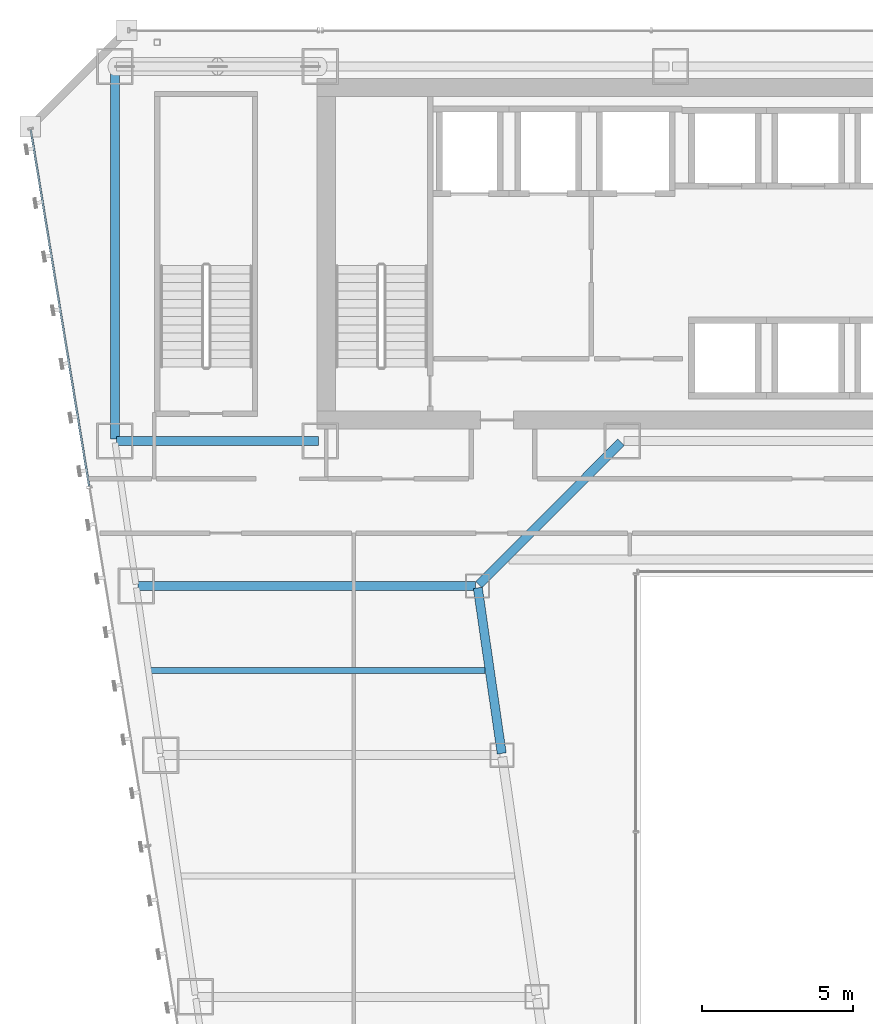
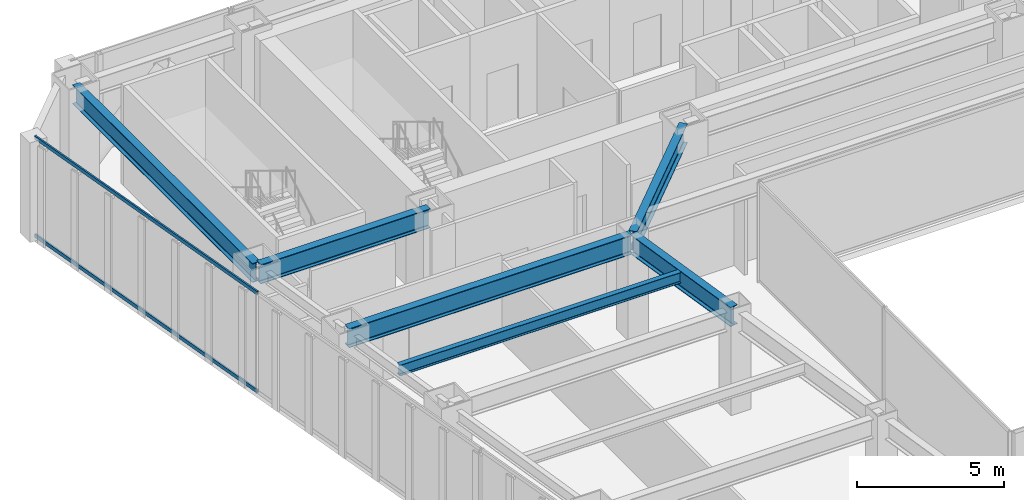
# One storey, part 23 of 47: 6 beams, 2 members, 1 element without a shape of its own.
"""IFC4 building model written with IfcOpenShell, lengths in metres."""

from ifc_helpers import new_model, si_unit, direction, frame, origin, origin_2d, place, context, subcontext, project, spatial, hollow_rectangle, i_section, extrude, material, material_profile, profile_set, type_object, element, aggregate, save


model = new_model("IFC4")

# Units and contexts
model_context = context("Model", 3, precision=1e-05, world=origin(), true_north=direction((0.0, 1.0)))
body_context = subcontext(model_context, "Body", "Model", "MODEL_VIEW")
ifc_project = project(units=[si_unit("LENGTHUNIT", "METRE"), si_unit("AREAUNIT", "SQUARE_METRE"), si_unit("VOLUMEUNIT", "CUBIC_METRE"), si_unit("PLANEANGLEUNIT", "RADIAN"), si_unit("MASSUNIT", "GRAM", prefix="KILO")], contexts=[model_context])

# Site, building, storey
site_placement = place(None, origin())
site = spatial("IfcSite", under=ifc_project, at=site_placement, CompositionType="ELEMENT")
building_placement = place(site_placement, origin())
building = spatial("IfcBuilding", under=site, at=building_placement, Name="Saevonmaru Cultural Tower", CompositionType="ELEMENT")
storey_placement = place(building_placement, frame((0.0, 0.0, 60.39990234375)))
storey = spatial("IfcBuildingStorey", under=building, at=storey_placement, Name="L12", CompositionType="ELEMENT", Elevation=60.39990234375)

# Beams
ifc_material_1 = material(Name="Steel SM420", Category="steel")
ifc_material_profile_1 = material_profile(ifc_material_1, i_section(OverallWidth=0.300048828125, OverallDepth=0.800048828125, WebThickness=0.013916015625, FlangeThickness=0.02587890625, FilletRadius=0.028076171875, at=origin_2d()), Name="H-800x300x14x26")
ifc_profile_set_1 = profile_set([ifc_material_profile_1], Name="Steel SM420")
beam_type_1 = type_object("IfcBeamType", Name="BM-G-H800", PredefinedType="BEAM", material=ifc_profile_set_1)
beam_1_placement = place(storey_placement, frame((6.860107421875, 42.39990234375, 3.75), z_axis=(1.0, 0.0, 0.0), x_axis=(0.0, 1.0, 0.0)))
element("IfcBeam", 1, at=beam_1_placement, inside=storey, type_object=beam_type_1, Name="L12 Core South Girder 1", PredefinedType="BEAM", context=body_context, shape_type="SweptSolid", body=[
    extrude(i_section(OverallWidth=0.300048828125, OverallDepth=0.800048828125, WebThickness=0.013916015625, FlangeThickness=0.02587890625, FilletRadius=0.028076171875, at=origin_2d()), origin(), (0.0, 0.0, 1.0), 6.679931640625),
])
beam_2_placement = place(storey_placement, frame((6.800048828125, 54.739990234375, 3.75), z_axis=(0.0, -1.0, 0.0), x_axis=(1.0, 0.0, 0.0)))
element("IfcBeam", 2, at=beam_2_placement, inside=storey, type_object=beam_type_1, Name="L12 Spine Transverse Girder W", PredefinedType="BEAM", context=body_context, shape_type="SweptSolid", body=[
    extrude(i_section(OverallWidth=0.300048828125, OverallDepth=0.800048828125, WebThickness=0.013916015625, FlangeThickness=0.02587890625, FilletRadius=0.028076171875, at=origin_2d()), origin(), (0.0, 0.0, 1.0), 12.280029296875),
])
beam_3_placement = place(storey_placement, frame((19.6083984375, 32.059326171875, 3.75), z_axis=(-0.142964121327, 0.989727871697, 0.0), x_axis=(-0.989727871697, -0.142964121327, 0.0)))
element("IfcBeam", 3, at=beam_3_placement, inside=storey, type_object=beam_type_1, Name="L12 West Atrium Girder 5", PredefinedType="BEAM", context=body_context, shape_type="SweptSolid", body=[
    extrude(i_section(OverallWidth=0.300048828125, OverallDepth=0.800048828125, WebThickness=0.013916015625, FlangeThickness=0.02587890625, FilletRadius=0.028076171875, at=origin_2d()), origin(), (0.0, 0.0, 1.0), 5.5380859375),
])
beam_4_placement = place(storey_placement, frame((18.850341796875, 37.642578125, 3.75), z_axis=(0.706538566564, 0.707674539572, 0.0), x_axis=(-0.707674539572, 0.706538566564, 0.0)))
element("IfcBeam", 4, at=beam_4_placement, inside=storey, type_object=beam_type_1, Name="L12 West Atrium Girder 6", PredefinedType="BEAM", context=body_context, shape_type="SweptSolid", body=[
    extrude(i_section(OverallWidth=0.300048828125, OverallDepth=0.800048828125, WebThickness=0.013916015625, FlangeThickness=0.02587890625, FilletRadius=0.028076171875, at=origin_2d()), origin(), (0.0, 0.0, 1.0), 6.662353515625),
])
beam_5_placement = place(storey_placement, frame((7.568115234375, 37.60009765625, 3.75), z_axis=(1.0, 0.0, 0.0), x_axis=(0.0, 1.0, 0.0)))
element("IfcBeam", 5, at=beam_5_placement, inside=storey, type_object=beam_type_1, Name="L12 West Wing Transverse Girder 6", PredefinedType="BEAM", context=body_context, shape_type="SweptSolid", body=[
    extrude(i_section(OverallWidth=0.300048828125, OverallDepth=0.800048828125, WebThickness=0.013916015625, FlangeThickness=0.02587890625, FilletRadius=0.028076171875, at=origin_2d()), origin(), (0.0, 0.0, 1.0), 11.179931640625),
])
ifc_material_2 = material(Name="Steel SM355", Category="steel")
ifc_material_profile_2 = material_profile(ifc_material_2, i_section(OverallWidth=0.199951171875, OverallDepth=0.449951171875, WebThickness=0.009033203125, FlangeThickness=0.013916015625, FilletRadius=0.01806640625, at=origin_2d()), Name="H-450x200x9x14")
ifc_profile_set_2 = profile_set([ifc_material_profile_2], Name="Steel SM355")
beam_type_2 = type_object("IfcBeamType", Name="BM-J-H450", PredefinedType="JOIST", material=ifc_profile_set_2)
beam_6_placement = place(storey_placement, frame((7.972412109375, 34.800048828125, 3.925048828125), z_axis=(1.0, 0.0, 0.0), x_axis=(0.0, 1.0, 0.0)))
element("IfcBeam", 6, at=beam_6_placement, inside=storey, type_object=beam_type_2, Name="L12 West Wing Floor Joist 5", PredefinedType="JOIST", context=body_context, shape_type="SweptSolid", body=[
    extrude(i_section(OverallWidth=0.199951171875, OverallDepth=0.449951171875, WebThickness=0.009033203125, FlangeThickness=0.013916015625, FilletRadius=0.01806640625, at=origin_2d()), origin(), (0.0, 0.0, 1.0), 11.08203125),
])

# Curtain wall, members
ifc_material_3 = material(Name="Satin Bronze Anodised Aluminium", Category="aluminium")
curtain_wall_type = type_object("IfcCurtainWallType", Name="CW-TYP-A", PredefinedType="NOTDEFINED", material=ifc_material_3)
curtain_wall_placement = place(storey_placement, origin())
curtain_wall = element("IfcCurtainWall", 7, at=curtain_wall_placement, inside=storey, type_object=curtain_wall_type, Name="L12 Unitised Curtain Wall E12", PredefinedType="NOTDEFINED")
ifc_material_profile_3 = material_profile(ifc_material_3, hollow_rectangle(XDim=0.06494140625, YDim=0.14990234375, WallThickness=0.00390625, at=origin_2d()), Name="ALU-TRAN-150x65x4")
ifc_profile_set_3 = profile_set([ifc_material_profile_3], Name="Satin Bronze Anodised Aluminium")
member_type = type_object("IfcMemberType", Name="TR-CW-150x65", PredefinedType="USERDEFINED", material=ifc_profile_set_3)
member_1_placement = place(storey_placement, frame((4.014892578125, 52.708740234375, 0.03271484375), z_axis=(0.161724530373, -0.986835941925, 0.0), x_axis=(0.986835941925, 0.161724530373, 0.0)))
member_1 = element("IfcMember", 8, at=member_1_placement, type_object=member_type, Name="CW-TW-L12-E12 transom 1.1", ObjectType="TRANSOM", PredefinedType="USERDEFINED", context=body_context, shape_type="SweptSolid", body=[
    extrude(hollow_rectangle(XDim=0.06494140625, YDim=0.14990234375, WallThickness=0.00390625, at=origin_2d()), origin(), (0.0, 0.0, 1.0), 11.963623046875),
])
member_2_placement = place(storey_placement, frame((4.014892578125, 52.708740234375, 4.11767578125), z_axis=(0.161724530373, -0.986835941925, 0.0), x_axis=(0.986835941925, 0.161724530373, 0.0)))
member_2 = element("IfcMember", 9, at=member_2_placement, type_object=member_type, Name="CW-TW-L12-E12 transom 1.2", ObjectType="TRANSOM", PredefinedType="USERDEFINED", context=body_context, shape_type="SweptSolid", body=[
    extrude(hollow_rectangle(XDim=0.06494140625, YDim=0.14990234375, WallThickness=0.00390625, at=origin_2d()), origin(), (0.0, 0.0, 1.0), 11.963623046875),
])
aggregate(curtain_wall, [member_1, member_2])

save(model, "model.ifc")
